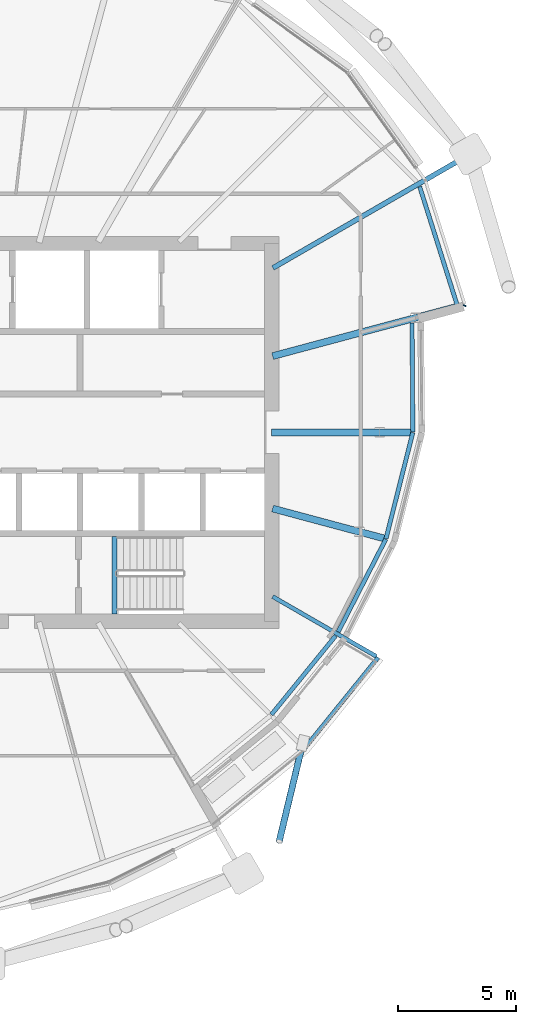
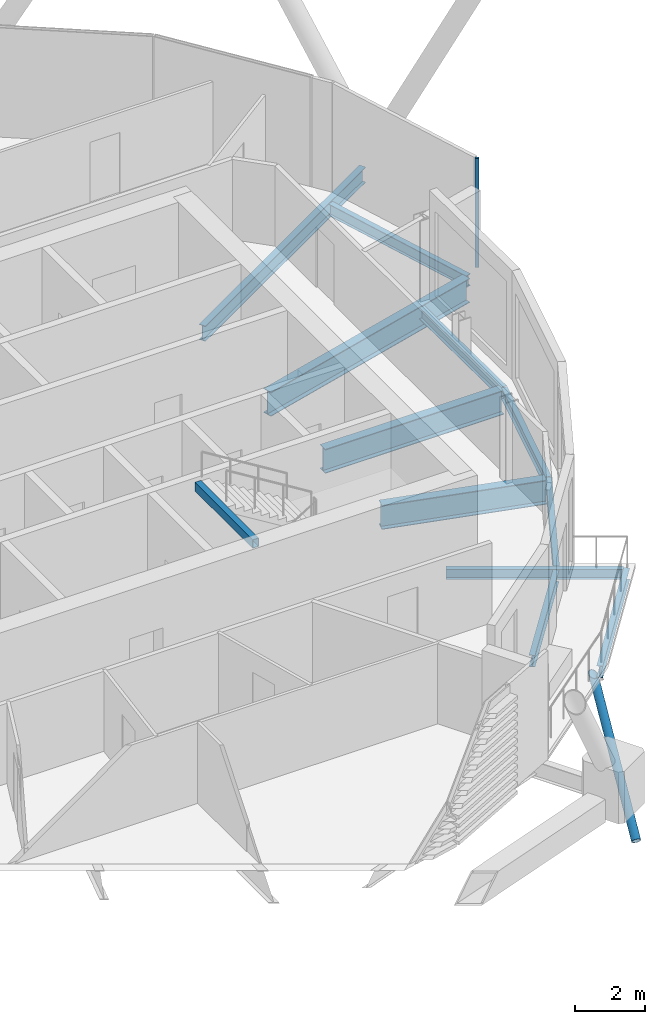
# One storey, part 16 of 36: 12 beams, 2 members, 1 element without a shape of its own.
"""IFC4 building model written with IfcOpenShell, lengths in metres."""

from ifc_helpers import new_model, si_unit, direction, frame, origin, origin_2d, place, context, subcontext, project, spatial, rectangle, hollow_rectangle, hollow_circle, i_section, extrude, clip, halfspace, material, material_profile, profile_set, type_object, element, aggregate, save


model = new_model("IFC4")

# Units and contexts
model_context = context("Model", 3, precision=1e-05, world=origin(), true_north=direction((0.0, 1.0)))
body_context = subcontext(model_context, "Body", "Model", "MODEL_VIEW")
ifc_project = project(units=[si_unit("LENGTHUNIT", "METRE"), si_unit("AREAUNIT", "SQUARE_METRE"), si_unit("VOLUMEUNIT", "CUBIC_METRE"), si_unit("PLANEANGLEUNIT", "RADIAN"), si_unit("MASSUNIT", "GRAM", prefix="KILO")], contexts=[model_context])

# Site, building, storey
site_placement = place(None, origin())
site = spatial("IfcSite", under=ifc_project, at=site_placement, CompositionType="ELEMENT")
building_placement = place(site_placement, origin())
building = spatial("IfcBuilding", under=site, at=building_placement, Name="Rimbun Link Towers", CompositionType="ELEMENT")
storey_placement = place(building_placement, frame((0.0, 0.0, 193.10009765625)))
storey = spatial("IfcBuildingStorey", under=building, at=storey_placement, Name="L47", CompositionType="ELEMENT", Elevation=193.10009765625)

# Curtain wall, member
ifc_material_1 = material(Name="Aluminium 6063-T6 and low-iron glass", Category="aluminium")
curtain_wall_type = type_object("IfcCurtainWallType", Name="CW1-Z3 unitised vision wall (zone 3)", PredefinedType="NOTDEFINED", material=ifc_material_1)
curtain_wall_placement = place(storey_placement, origin())
curtain_wall = element("IfcCurtainWall", 1, at=curtain_wall_placement, inside=storey, type_object=curtain_wall_type, Name="CW1 L47 T2", PredefinedType="NOTDEFINED")
ifc_material_2 = material(Name="Aluminium 6063-T6", Category="aluminium")
ifc_material_profile_1 = material_profile(ifc_material_2, rectangle(XDim=0.1201171875, YDim=0.06005859375, at=origin_2d()), Name="MULLION 60X120")
ifc_profile_set_1 = profile_set([ifc_material_profile_1], Name="Aluminium 6063-T6")
member_type_1 = type_object("IfcMemberType", Name="CW1 mullion 60X120", PredefinedType="MULLION", material=ifc_profile_set_1)
member_1_placement = place(storey_placement, frame((51.924072265625, 5.36279296875, 0.0), z_axis=(0.0, 0.0, 1.0), x_axis=(0.877316894371, -0.479911519814, 0.0)))
member_1 = element("IfcMember", 2, at=member_1_placement, type_object=member_type_1, Name="CW1 mullion", PredefinedType="MULLION", context=body_context, shape_type="SweptSolid", body=[
    extrude(rectangle(XDim=0.1201171875, YDim=0.06005859375, at=origin_2d()), origin(), (0.0, 0.0, 1.0), 3.7998046875),
])
aggregate(curtain_wall, [member_1])

# Member
ifc_material_3 = material(Name="Steel S355J2H", Category="steel")
ifc_material_profile_2 = material_profile(ifc_material_3, hollow_circle(Radius=0.136474609375, WallThickness=0.012451171875, at=origin_2d()), Name="CHS 273x12.5")
ifc_profile_set_2 = profile_set([ifc_material_profile_2], Name="Steel S355J2H")
member_type_2 = type_object("IfcMemberType", Name="Floor edge link CHS 273x12.5", PredefinedType="BRACE", material=ifc_profile_set_2)
member_2_placement = place(storey_placement, frame((45.036865234375, -13.286865234375, -0.67041015625), z_axis=(-0.194151729092, -0.807454819109, -0.557065365274), x_axis=(0.972288139961, -0.233785741421, 0.0)))
element("IfcMember", 3, at=member_2_placement, inside=storey, type_object=member_type_2, Name="Floor edge link T2 L47 18", PredefinedType="BRACE", context=body_context, shape_type="Clipping", body=[
    clip(extrude(hollow_circle(Radius=0.136474609375, WallThickness=0.012451171875, at=origin_2d()), frame((0.0, 0.0, -0.425048828125)), (0.0, 0.0, 1.0), 5.434814453125), halfspace(frame((0.0, 0.0, -0.200927734375), z_axis=(0.0, 0.830468650108, -0.557065365274)), False)),
])

# Beams
ifc_material_4 = material(Name="Steel S355J2", Category="steel")
ifc_material_profile_3 = material_profile(ifc_material_4, hollow_rectangle(XDim=0.199951171875, YDim=0.300048828125, WallThickness=0.011962890625, at=origin_2d()), Name="BOX 300x200x12")
ifc_profile_set_3 = profile_set([ifc_material_profile_3], Name="Steel S355J2")
beam_type_1 = type_object("IfcBeamType", Name="Stair trimmer beam BOX 300x200x12", PredefinedType="BEAM", material=ifc_profile_set_3)
beam_1_placement = place(storey_placement, frame((37.10009765625, -7.699951171875, 3.5), z_axis=(0.0, 1.0, 0.0), x_axis=(-1.0, 0.0, 0.0)))
element("IfcBeam", 4, at=beam_1_placement, inside=storey, type_object=beam_type_1, Name="L47 ST4 stair beam 1", PredefinedType="BEAM", context=body_context, shape_type="SweptSolid", body=[
    extrude(hollow_rectangle(XDim=0.199951171875, YDim=0.300048828125, WallThickness=0.011962890625, at=origin_2d()), origin(), (0.0, 0.0, 1.0), 3.300048828125),
])
ifc_material_5 = material(Name="Steel S355J2", Category="steel")
ifc_material_profile_4 = material_profile(ifc_material_5, i_section(OverallWidth=0.17138671875, OverallDepth=0.35498046875, WebThickness=0.00732421875, FlangeThickness=0.011474609375, at=origin_2d()), Name="UB 356x171x51")
ifc_profile_set_4 = profile_set([ifc_material_profile_4], Name="Steel S355J2")
beam_type_2 = type_object("IfcBeamType", Name="UB 356x171x51", PredefinedType="BEAM", material=ifc_profile_set_4)
beam_2_placement = place(storey_placement, frame((43.793701171875, -6.95361328125, -0.32763671875), z_axis=(0.866035402275, -0.499982681706, 0.0), x_axis=(0.499982681706, 0.866035402275, 0.0)))
element("IfcBeam", 5, at=beam_2_placement, inside=storey, type_object=beam_type_2, Name="Radial beam T2 L47 19", PredefinedType="BEAM", context=body_context, shape_type="SweptSolid", body=[
    extrude(i_section(OverallWidth=0.17138671875, OverallDepth=0.35498046875, WebThickness=0.00732421875, FlangeThickness=0.011474609375, at=origin_2d()), origin(), (0.0, 0.0, 1.0), 5.062255859375),
])
ifc_material_6 = material(Name="Steel S355J2", Category="steel")
ifc_material_profile_5 = material_profile(ifc_material_6, i_section(OverallWidth=0.177978515625, OverallDepth=0.406494140625, WebThickness=0.0078125, FlangeThickness=0.0126953125, at=origin_2d()), Name="UB 406x178x60")
ifc_profile_set_5 = profile_set([ifc_material_profile_5], Name="Steel S355J2")
beam_type_3 = type_object("IfcBeamType", Name="UB 406x178x60", PredefinedType="BEAM", material=ifc_profile_set_5)
beam_3_placement = place(storey_placement, frame((43.739013671875, -11.9501953125, -0.353271484375), z_axis=(0.631505190652, 0.775371649069, 0.0), x_axis=(-0.775371649069, 0.631505190652, 0.0)))
element("IfcBeam", 6, at=beam_3_placement, inside=storey, type_object=beam_type_3, Name="Edge beam T2 L47 18 recess", PredefinedType="BEAM", context=body_context, shape_type="SweptSolid", body=[
    extrude(i_section(OverallWidth=0.177978515625, OverallDepth=0.406494140625, WebThickness=0.0078125, FlangeThickness=0.0126953125, at=origin_2d()), origin(), (0.0, 0.0, 1.0), 4.30859375),
])
beam_4_placement = place(storey_placement, frame((45.142333984375, -13.377685546875, -0.353271484375), z_axis=(0.629172684123, 0.77726554893, 0.0), x_axis=(-0.77726554893, 0.629172684123, 0.0)))
element("IfcBeam", 7, at=beam_4_placement, inside=storey, type_object=beam_type_3, Name="Edge beam T2 L47 18 terrace", PredefinedType="BEAM", context=body_context, shape_type="SweptSolid", body=[
    extrude(i_section(OverallWidth=0.177978515625, OverallDepth=0.406494140625, WebThickness=0.0078125, FlangeThickness=0.0126953125, at=origin_2d()), origin(), (0.0, 0.0, 1.0), 4.948974609375),
])
beam_5_placement = place(storey_placement, frame((46.566162109375, -8.448974609375, -0.353271484375), z_axis=(0.456721892987, 0.889609528089, 0.0), x_axis=(-0.889609528089, 0.456721892987, 0.0)))
element("IfcBeam", 8, at=beam_5_placement, inside=storey, type_object=beam_type_3, Name="Edge beam T2 L47 19 recess", PredefinedType="BEAM", context=body_context, shape_type="SweptSolid", body=[
    extrude(i_section(OverallWidth=0.177978515625, OverallDepth=0.406494140625, WebThickness=0.0078125, FlangeThickness=0.0126953125, at=origin_2d()), origin(), (0.0, 0.0, 1.0), 4.414794921875),
])
beam_6_placement = place(storey_placement, frame((48.59033203125, -4.500732421875, -0.353271484375), z_axis=(0.244941957054, 0.969537744327, 0.0), x_axis=(-0.969537744327, 0.244941957054, 0.0)))
element("IfcBeam", 9, at=beam_6_placement, inside=storey, type_object=beam_type_3, Name="Edge beam T2 L47 20 recess", PredefinedType="BEAM", context=body_context, shape_type="SweptSolid", body=[
    extrude(i_section(OverallWidth=0.177978515625, OverallDepth=0.406494140625, WebThickness=0.0078125, FlangeThickness=0.0126953125, at=origin_2d()), origin(), (0.0, 0.0, 1.0), 4.6298828125),
])
beam_7_placement = place(storey_placement, frame((49.727294921875, 0.012451171875, -0.353271484375), z_axis=(-0.007716064356, 0.999970230732, 0.0), x_axis=(-0.999970230732, -0.007716064356, 0.0)))
element("IfcBeam", 10, at=beam_7_placement, inside=storey, type_object=beam_type_3, Name="Edge beam T2 L47 21 recess", PredefinedType="BEAM", context=body_context, shape_type="SweptSolid", body=[
    extrude(i_section(OverallWidth=0.177978515625, OverallDepth=0.406494140625, WebThickness=0.0078125, FlangeThickness=0.0126953125, at=origin_2d()), origin(), (0.0, 0.0, 1.0), 4.61962890625),
])
beam_8_placement = place(storey_placement, frame((51.62255859375, 5.325927734375, -0.353271484375), z_axis=(-0.301829187888, 0.953362020084, 0.0), x_axis=(-0.953362020084, -0.301829187888, 0.0)))
element("IfcBeam", 11, at=beam_8_placement, inside=storey, type_object=beam_type_3, Name="Edge beam T2 L47 22", PredefinedType="BEAM", context=body_context, shape_type="SweptSolid", body=[
    extrude(i_section(OverallWidth=0.177978515625, OverallDepth=0.406494140625, WebThickness=0.0078125, FlangeThickness=0.0126953125, at=origin_2d()), origin(), (0.0, 0.0, 1.0), 5.323974609375),
])
ifc_material_7 = material(Name="Steel S355J2", Category="steel")
ifc_material_profile_6 = material_profile(ifc_material_7, i_section(OverallWidth=0.209228515625, OverallDepth=0.533203125, WebThickness=0.010009765625, FlangeThickness=0.015625, at=origin_2d()), Name="UB 533x210x92")
ifc_profile_set_6 = profile_set([ifc_material_profile_6], Name="Steel S355J2")
beam_type_4 = type_object("IfcBeamType", Name="UB 533x210x92", PredefinedType="BEAM", material=ifc_profile_set_6)
beam_9_placement = place(storey_placement, frame((43.80322265625, 6.958984375, -0.416748046875), z_axis=(0.866030705461, 0.499990817114, 0.0), x_axis=(-0.499990817114, 0.866030705461, 0.0)))
element("IfcBeam", 12, at=beam_9_placement, inside=storey, type_object=beam_type_4, Name="Radial beam T2 L47 23", PredefinedType="BEAM", context=body_context, shape_type="SweptSolid", body=[
    extrude(i_section(OverallWidth=0.209228515625, OverallDepth=0.533203125, WebThickness=0.010009765625, FlangeThickness=0.015625, at=origin_2d()), origin(), (0.0, 0.0, 1.0), 9.135009765625),
])
ifc_material_8 = material(Name="Steel S355J2", Category="steel")
ifc_material_profile_7 = material_profile(ifc_material_8, i_section(OverallWidth=0.29248046875, OverallDepth=0.8408203125, WebThickness=0.0126953125, FlangeThickness=0.021728515625, at=origin_2d()), Name="UB 838x292x194")
ifc_profile_set_7 = profile_set([ifc_material_profile_7], Name="Steel S355J2")
beam_type_5 = type_object("IfcBeamType", Name="UB 838x292x194", PredefinedType="BEAM", material=ifc_profile_set_7)
beam_10_placement = place(storey_placement, frame((43.788818359375, -3.225830078125, -0.570556640625), z_axis=(0.965924368672, -0.258824484942, 0.0), x_axis=(0.258824484942, 0.965924368672, 0.0)))
element("IfcBeam", 13, at=beam_10_placement, inside=storey, type_object=beam_type_5, Name="Radial beam T2 L47 20", PredefinedType="BEAM", context=body_context, shape_type="SweptSolid", body=[
    extrude(i_section(OverallWidth=0.29248046875, OverallDepth=0.8408203125, WebThickness=0.0126953125, FlangeThickness=0.021728515625, at=origin_2d()), origin(), (0.0, 0.0, 1.0), 4.877685546875),
])
beam_11_placement = place(storey_placement, frame((43.7509765625, 0.0, -0.570556640625), z_axis=(1.0, 0.0, 0.0), x_axis=(0.0, 1.0, 0.0)))
element("IfcBeam", 14, at=beam_11_placement, inside=storey, type_object=beam_type_5, Name="Radial beam T2 L47 21", PredefinedType="BEAM", context=body_context, shape_type="SweptSolid", body=[
    extrude(i_section(OverallWidth=0.29248046875, OverallDepth=0.8408203125, WebThickness=0.0126953125, FlangeThickness=0.021728515625, at=origin_2d()), origin(), (0.0, 0.0, 1.0), 5.8857421875),
])
beam_12_placement = place(storey_placement, frame((43.788818359375, 3.225830078125, -0.570556640625), z_axis=(0.965930116514, 0.258803033235, 0.0), x_axis=(-0.258803033235, 0.965930116514, 0.0)))
element("IfcBeam", 15, at=beam_12_placement, inside=storey, type_object=beam_type_5, Name="Radial beam T2 L47 22", PredefinedType="BEAM", context=body_context, shape_type="SweptSolid", body=[
    extrude(i_section(OverallWidth=0.29248046875, OverallDepth=0.8408203125, WebThickness=0.0126953125, FlangeThickness=0.021728515625, at=origin_2d()), origin(), (0.0, 0.0, 1.0), 8.020263671875),
])

save(model, "model.ifc")
